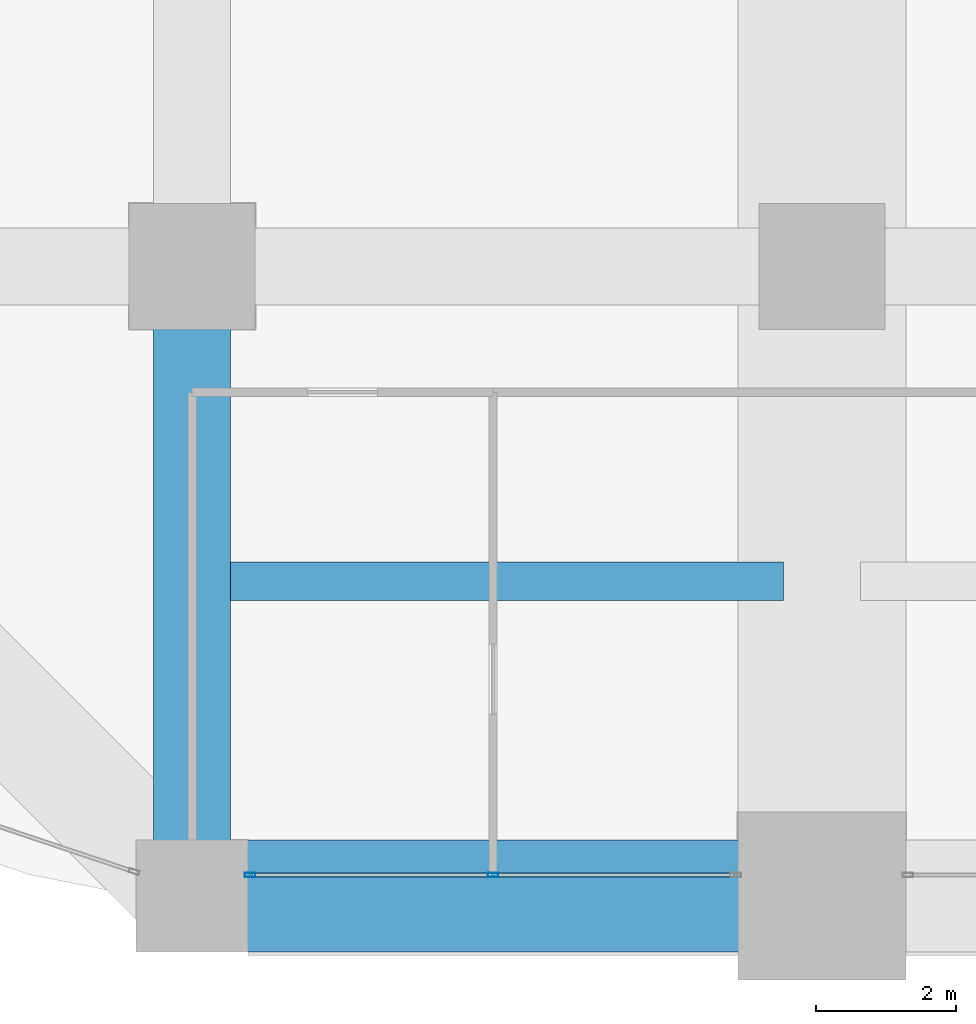
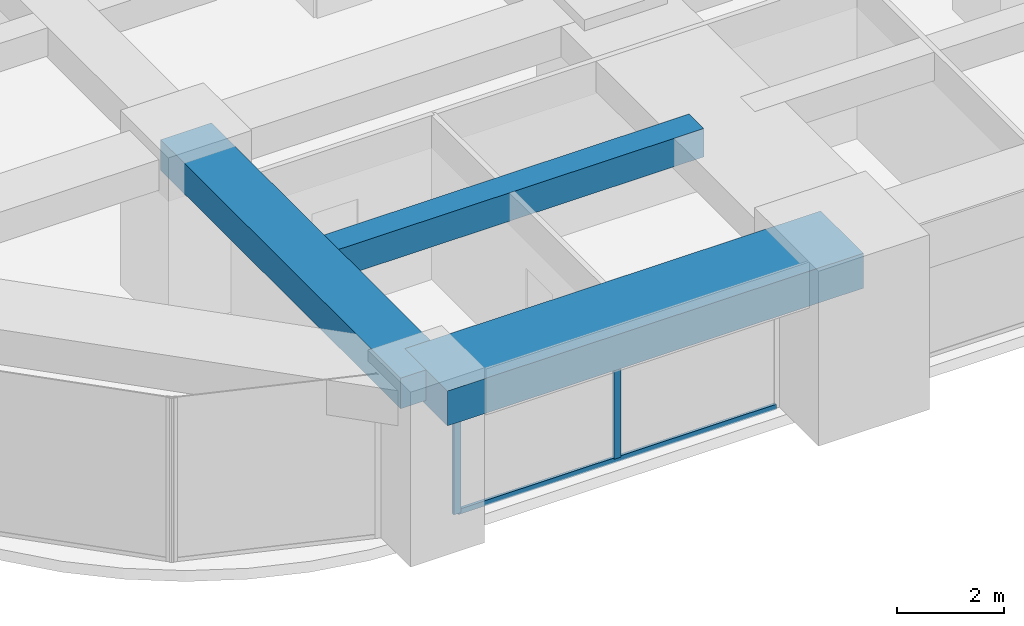
# One storey, part 3 of 42: 3 beams, 3 members, 1 element without a shape of its own.
"""IFC4 building model written with IfcOpenShell, lengths in metres."""

from ifc_helpers import new_model, si_unit, direction, frame, origin, origin_2d, place, context, subcontext, project, spatial, rectangle, hollow_rectangle, extrude, material, material_profile, profile_set, type_object, element, aggregate, save


model = new_model("IFC4")

# Units and contexts
model_context = context("Model", 3, precision=1e-05, world=origin(), true_north=direction((0.0, 1.0)))
body_context = subcontext(model_context, "Body", "Model", "MODEL_VIEW")
ifc_project = project(units=[si_unit("LENGTHUNIT", "METRE"), si_unit("AREAUNIT", "SQUARE_METRE"), si_unit("VOLUMEUNIT", "CUBIC_METRE"), si_unit("PLANEANGLEUNIT", "RADIAN"), si_unit("MASSUNIT", "GRAM", prefix="KILO")], contexts=[model_context])

# Site, building, storey
site_placement = place(None, origin())
site = spatial("IfcSite", under=ifc_project, at=site_placement, CompositionType="ELEMENT")
building_placement = place(site_placement, origin())
building = spatial("IfcBuilding", under=site, at=building_placement, Name="Zorevar Civic Tower", CompositionType="ELEMENT")
storey_placement = place(building_placement, frame((0.0, 0.0, 149.0)))
storey = spatial("IfcBuildingStorey", under=building, at=storey_placement, Name="L36", CompositionType="ELEMENT", Elevation=149.0)

# Beams
ifc_material_1 = material(Name="Concrete C50/60", Category="concrete")
ifc_material_profile_1 = material_profile(ifc_material_1, rectangle(XDim=1.10009765625, YDim=0.699951171875, at=origin_2d()), Name="RC 1100x700")
ifc_profile_set_1 = profile_set([ifc_material_profile_1], Name="Concrete C50/60")
beam_type_1 = type_object("IfcBeamType", Name="Beam RC 1100x700", PredefinedType="BEAM", material=ifc_profile_set_1)
beam_1_placement = place(storey_placement, frame((9.0, 0.0, 3.39990234375), z_axis=(0.0, 1.0, 0.0), x_axis=(-1.0, 0.0, 0.0)))
element("IfcBeam", 1, at=beam_1_placement, inside=storey, type_object=beam_type_1, Name="Girder L37", PredefinedType="BEAM", context=body_context, shape_type="SweptSolid", body=[
    extrude(rectangle(XDim=1.10009765625, YDim=0.699951171875, at=origin_2d()), origin(), (0.0, 0.0, 1.0), 9.0),
])
ifc_material_2 = material(Name="Concrete C50/60", Category="concrete")
ifc_material_profile_2 = material_profile(ifc_material_2, rectangle(XDim=0.550048828125, YDim=0.64990234375, at=origin_2d()), Name="RC 550x650")
ifc_profile_set_2 = profile_set([ifc_material_profile_2], Name="Concrete C50/60")
beam_type_2 = type_object("IfcBeamType", Name="Beam RC 550x650", PredefinedType="BEAM", material=ifc_profile_set_2)
beam_2_placement = place(storey_placement, frame((9.550048828125, 4.5, 3.425048828125), z_axis=(1.0, 0.0, 0.0), x_axis=(0.0, 1.0, 0.0)))
element("IfcBeam", 2, at=beam_2_placement, inside=storey, type_object=beam_type_2, Name="Secondary beam L37", PredefinedType="BEAM", context=body_context, shape_type="SweptSolid", body=[
    extrude(rectangle(XDim=0.550048828125, YDim=0.64990234375, at=origin_2d()), origin(), (0.0, 0.0, 1.0), 7.89990234375),
])

# Curtain wall, members
ifc_material_3 = material(Name="Dark grey solar-control glass in black aluminium frame", Category="aluminium")
curtain_wall_type = type_object("IfcCurtainWallType", Name="Curtain wall CW3 mid zone", PredefinedType="NOTDEFINED", material=ifc_material_3)
curtain_wall_placement = place(storey_placement, origin())
curtain_wall = element("IfcCurtainWall", 3, at=curtain_wall_placement, inside=storey, type_object=curtain_wall_type, Name="CW3 L36", PredefinedType="NOTDEFINED")
ifc_material_4 = material(Name="Aluminium, black anodised", Category="aluminium")
ifc_material_profile_3 = material_profile(ifc_material_4, hollow_rectangle(XDim=0.06005859375, YDim=0.14990234375, WallThickness=0.00390625, at=origin_2d()), Name="AL 150x60x4")
ifc_profile_set_3 = profile_set([ifc_material_profile_3], Name="Aluminium, black anodised")
member_type_1 = type_object("IfcMemberType", Name="CW3 mullion AL 150x60x4", PredefinedType="MULLION", material=ifc_profile_set_3)
member_1_placement = place(storey_placement, frame((9.830078125, 0.300048828125, 0.0), z_axis=(0.0, 0.0, 1.0), x_axis=(0.0, 1.0, 0.0)))
member_1 = element("IfcMember", 4, at=member_1_placement, type_object=member_type_1, Name="CW3 mullion 1", PredefinedType="MULLION", context=body_context, shape_type="SweptSolid", body=[
    extrude(hollow_rectangle(XDim=0.06005859375, YDim=0.14990234375, WallThickness=0.00390625, at=origin_2d()), origin(), (0.0, 0.0, 1.0), 2.949951171875),
])
member_2_placement = place(storey_placement, frame((13.300048828125, 0.300048828125, 0.06005859375), z_axis=(0.0, 0.0, 1.0), x_axis=(0.0, 1.0, 0.0)))
member_2 = element("IfcMember", 5, at=member_2_placement, type_object=member_type_1, Name="CW3 mullion 2", PredefinedType="MULLION", context=body_context, shape_type="SweptSolid", body=[
    extrude(hollow_rectangle(XDim=0.06005859375, YDim=0.14990234375, WallThickness=0.00390625, at=origin_2d()), origin(), (0.0, 0.0, 1.0), 2.889892578125),
])
ifc_material_5 = material(Name="Aluminium, black anodised", Category="aluminium")
ifc_material_profile_4 = material_profile(ifc_material_5, hollow_rectangle(XDim=0.06005859375, YDim=0.1201171875, WallThickness=0.0029296875, at=origin_2d()), Name="AL 120x60x3")
ifc_profile_set_4 = profile_set([ifc_material_profile_4], Name="Aluminium, black anodised")
member_type_2 = type_object("IfcMemberType", Name="CW3 transom AL 120x60x3", PredefinedType="USERDEFINED", material=ifc_profile_set_4)
member_3_placement = place(storey_placement, frame((9.860107421875, 0.300048828125, 0.030029296875), z_axis=(1.0, 0.0, 0.0), x_axis=(0.0, 1.0, 0.0)))
member_3 = element("IfcMember", 6, at=member_3_placement, type_object=member_type_2, Name="CW3 sill transom", ObjectType="TRANSOM", PredefinedType="USERDEFINED", context=body_context, shape_type="SweptSolid", body=[
    extrude(hollow_rectangle(XDim=0.06005859375, YDim=0.1201171875, WallThickness=0.0029296875, at=origin_2d()), origin(), (0.0, 0.0, 1.0), 6.8798828125),
])
aggregate(curtain_wall, [member_1, member_2, member_3])

# Beam
ifc_material_6 = material(Name="Concrete C50/60", Category="concrete")
ifc_material_profile_5 = material_profile(ifc_material_6, rectangle(XDim=1.60009765625, YDim=0.800048828125, at=origin_2d()), Name="RC 1600x800")
ifc_profile_set_5 = profile_set([ifc_material_profile_5], Name="Concrete C50/60")
beam_type_3 = type_object("IfcBeamType", Name="Edge beam RC 1600x800", PredefinedType="SPANDREL", material=ifc_profile_set_5)
beam_3_placement = place(storey_placement, frame((9.0, 0.0, 3.35009765625), z_axis=(1.0, 0.0, 0.0), x_axis=(0.0, 1.0, 0.0)))
element("IfcBeam", 7, at=beam_3_placement, inside=storey, type_object=beam_type_3, Name="Edge beam L37", PredefinedType="SPANDREL", context=body_context, shape_type="SweptSolid", body=[
    extrude(rectangle(XDim=1.60009765625, YDim=0.800048828125, at=origin_2d()), origin(), (0.0, 0.0, 1.0), 9.0),
])

save(model, "model.ifc")
